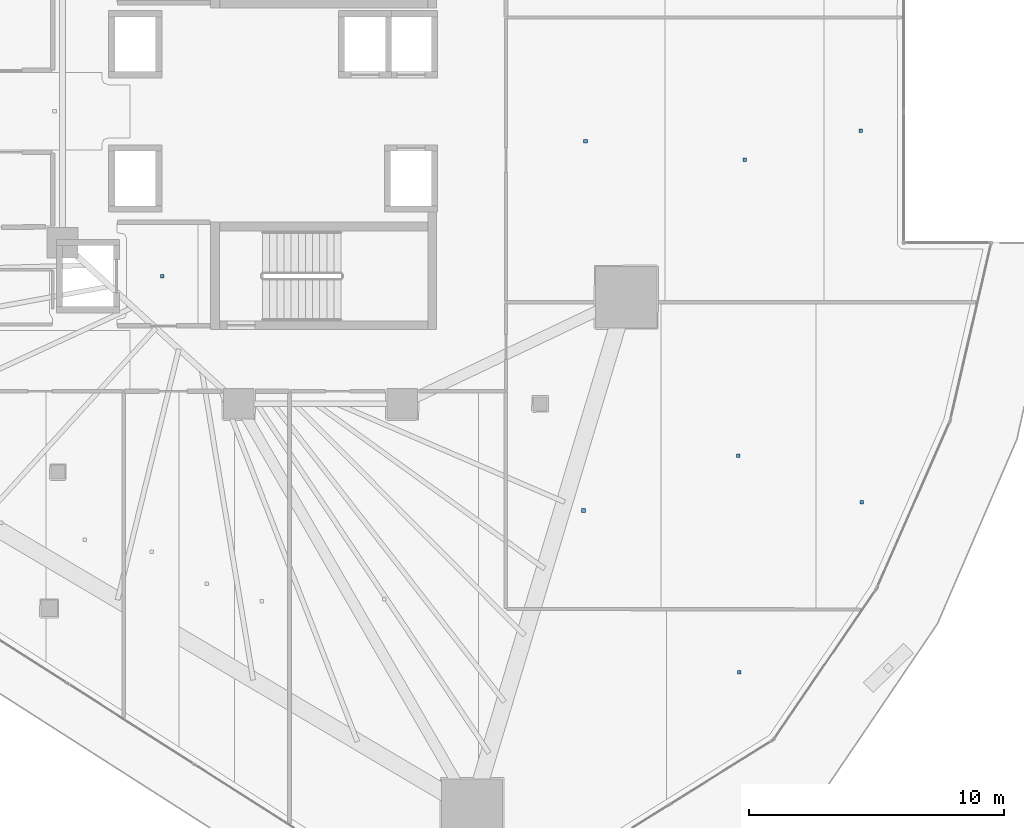
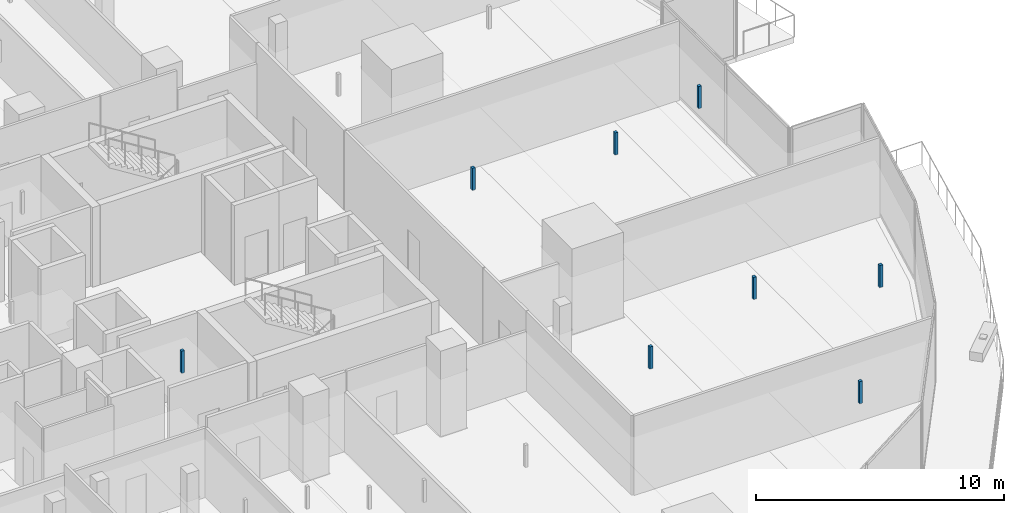
# One storey, part 34 of 46: 8 discrete accessories.
"""IFC4 building model written with IfcOpenShell, lengths in metres."""

from ifc_helpers import new_model, si_unit, direction, frame, origin, origin_2d, place, context, subcontext, project, spatial, rectangle, extrude, material, type_object, element, save


model = new_model("IFC4")

# Units and contexts
model_context = context("Model", 3, precision=1e-05, world=origin(), true_north=direction((0.0, 1.0)))
body_context = subcontext(model_context, "Body", "Model", "MODEL_VIEW")
ifc_project = project(units=[si_unit("LENGTHUNIT", "METRE"), si_unit("AREAUNIT", "SQUARE_METRE"), si_unit("VOLUMEUNIT", "CUBIC_METRE"), si_unit("PLANEANGLEUNIT", "RADIAN"), si_unit("MASSUNIT", "GRAM", prefix="KILO")], contexts=[model_context])

# Site, building, storey
site_placement = place(None, origin())
site = spatial("IfcSite", under=ifc_project, at=site_placement, CompositionType="ELEMENT")
building_placement = place(site_placement, origin())
building = spatial("IfcBuilding", under=site, at=building_placement, Name="Qorvath Tower", CompositionType="ELEMENT")
storey_placement = place(building_placement, frame((0.0, 0.0, 87.0)))
storey = spatial("IfcBuildingStorey", under=building, at=storey_placement, Name="L19", CompositionType="ELEMENT", Elevation=87.0)

# Discrete accessories
ifc_material = material(Name="Galvanised steel bracket", Category="steel")
discrete_accessory_type = type_object("IfcDiscreteAccessoryType", Name="DA-BRACKET", PredefinedType="BRACKET", material=ifc_material)
for number, where, z_axis, x_axis, name in (
    (1, (-26.590087890625, -6.449951171875, 2.860107421875), (0.0, 0.0, 1.0), (1.0, 0.0, 0.0), "Acoustic Ceiling Suspension Hanger T1-L19-002"),
    (2, (-4.0029296875, -21.966796875, 2.860107421875), (0.0, 0.0, 1.0), (1.0, 0.0, 0.0), "Acoustic Ceiling Suspension Hanger T1-L19-027"),
    (3, (-10.104248046875, -15.627685546875, 2.860107421875), (0.0, 0.0, 1.0), (1.0, 0.0, 0.0), "Acoustic Ceiling Suspension Hanger T1-L19-028"),
    (4, (-4.0390625, -13.480224609375, 2.860107421875), (0.0, 0.0, 1.0), (1.0, 0.0, 0.0), "Acoustic Ceiling Suspension Hanger T1-L19-029"),
    (5, (0.78564453125, -15.302490234375, 2.860107421875), (0.0, 0.0, 1.0), (1.0, 0.0, 0.0), "Acoustic Ceiling Suspension Hanger T1-L19-030"),
    (6, (-10.02392578125, -1.1767578125, 2.860107421875), (0.0, 0.0, 1.0), (1.0, 0.0, 0.0), "Acoustic Ceiling Suspension Hanger T1-L19-031"),
    (7, (-3.798095703125, -1.901123046875, 2.860107421875), (0.0, 0.0, 1.0), (1.0, 0.0, 0.0), "Acoustic Ceiling Suspension Hanger T1-L19-032"),
    (8, (0.748046875, -0.763427734375, 2.860107421875), (0.0, 0.0, 1.0), (1.0, 0.0, 0.0), "Acoustic Ceiling Suspension Hanger T1-L19-033"),
):
    element("IfcDiscreteAccessory", number, at=place(storey_placement, frame(where, z_axis=z_axis, x_axis=x_axis)), inside=storey, type_object=discrete_accessory_type, Name=name, PredefinedType="NOTDEFINED", context=body_context, shape_type="SweptSolid", body=[
        extrude(rectangle(XDim=0.139892578125, YDim=0.139892578125, at=origin_2d()), origin(), (0.0, 0.0, 1.0), 1.08984375),
    ])

save(model, "model.ifc")
